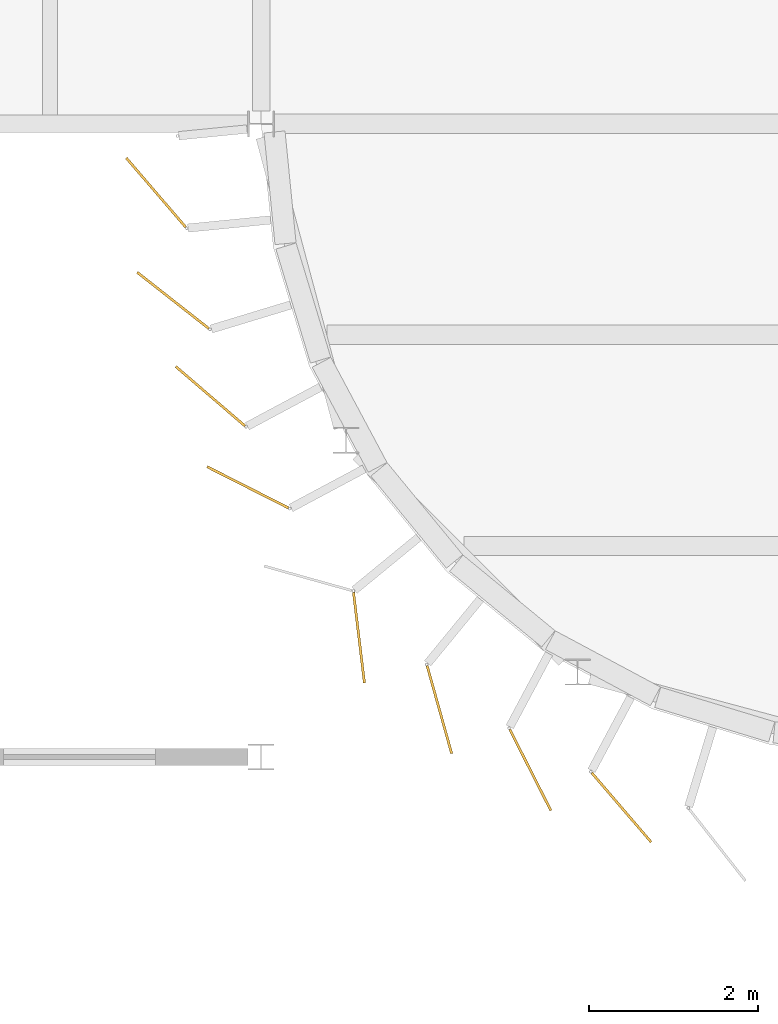
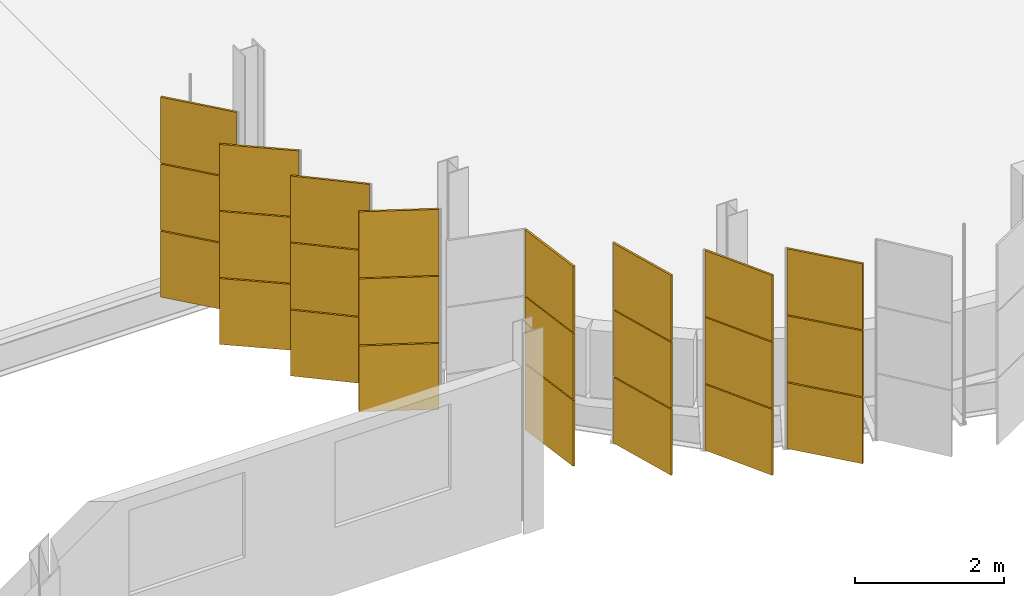
# One storey, part 186 of 199: 24 coverings.
"""IFC4 building model written with IfcOpenShell, lengths in metres."""

from ifc_helpers import new_model, si_unit, direction, frame, origin, origin_2d, place, context, subcontext, project, spatial, rectangle, extrude, material, layer, layer_set, type_object, element, save


model = new_model("IFC4")

# Units and contexts
model_context = context("Model", 3, precision=1e-05, world=origin(), true_north=direction((0.0, 1.0)))
body_context = subcontext(model_context, "Body", "Model", "MODEL_VIEW")
ifc_project = project(units=[si_unit("LENGTHUNIT", "METRE"), si_unit("AREAUNIT", "SQUARE_METRE"), si_unit("VOLUMEUNIT", "CUBIC_METRE"), si_unit("PLANEANGLEUNIT", "RADIAN"), si_unit("MASSUNIT", "GRAM", prefix="KILO")], contexts=[model_context])

# Site, building, storey
site_placement = place(None, origin())
site = spatial("IfcSite", under=ifc_project, at=site_placement, CompositionType="ELEMENT")
building_placement = place(site_placement, origin())
building = spatial("IfcBuilding", under=site, at=building_placement, Name="Parallax Yard Mobility Hub", CompositionType="ELEMENT")
storey_placement = place(building_placement, frame((0.0, 0.0, 9.89990234375)))
storey = spatial("IfcBuildingStorey", under=building, at=storey_placement, Name="L03", CompositionType="ELEMENT", Elevation=9.89990234375)

# Coverings
ifc_material_1 = material(Name="Aluminium panel, champagne finish", Category="aluminium")
ifc_layer_1 = layer(ifc_material_1, 0.030029296875)
ifc_layer_set_1 = layer_set([ifc_layer_1], Name="Skin panel 32.5 degree turn, champagne finish")
covering_type_1 = type_object("IfcCoveringType", Name="Skin panel 32.5 degree turn, champagne finish", PredefinedType="CLADDING", material=ifc_layer_set_1)
for number, where, z_axis, x_axis, name in (
    (1, (194.3994140625, 26.7724609375, 0.02001953125), (0.0, 0.0, 1.0), (-0.758987281247, 0.651105449912, 0.0), "Skin panel 32.5 bay 30.3 row 1 level L03"),
    (2, (196.1591796875, 23.913330078125, 0.02001953125), (0.0, 0.0, 1.0), (0.119703655305, -0.992809667009, 0.0), "Skin panel 32.5 bay 30.6 row 1 level L03"),
    (3, (199.2685546875, 21.901611328125, 0.02001953125), (0.0, 0.0, 1.0), (0.651105449912, -0.758987281247, 0.0), "Skin panel 32.5 bay 30.9 row 1 level L03"),
):
    element("IfcCovering", number, at=place(storey_placement, frame(where, z_axis=z_axis, x_axis=x_axis)), inside=storey, type_object=covering_type_1, Name=name, ObjectType="SCREEN", PredefinedType="CLADDING", context=body_context, shape_type="SweptSolid", body=[
        extrude(rectangle(XDim=1.080078125, YDim=0.030029296875, at=origin_2d()), origin(), (0.0, 0.0, 1.0), 1.080078125),
    ])
ifc_material_2 = material(Name="Aluminium panel, silver anodised", Category="aluminium")
ifc_layer_2 = layer(ifc_material_2, 0.030029296875)
ifc_layer_set_2 = layer_set([ifc_layer_2], Name="Skin panel 32.5 degree turn, silver anodised")
covering_type_2 = type_object("IfcCoveringType", Name="Skin panel 32.5 degree turn, silver anodised", PredefinedType="CLADDING", material=ifc_layer_set_2)
for number, where, z_axis, x_axis, name in (
    (4, (194.3994140625, 26.7724609375, 1.1201171875), (0.0, 0.0, 1.0), (-0.758987281247, 0.651105449912, 0.0), "Skin panel 32.5 bay 30.3 row 2 level L03"),
    (5, (194.3994140625, 26.7724609375, 2.219970703125), (0.0, 0.0, 1.0), (-0.758987281247, 0.651105449912, 0.0), "Skin panel 32.5 bay 30.3 row 3 level L03"),
    (6, (196.1591796875, 23.913330078125, 1.1201171875), (0.0, 0.0, 1.0), (0.119703655305, -0.992809667009, 0.0), "Skin panel 32.5 bay 30.6 row 2 level L03"),
    (7, (196.1591796875, 23.913330078125, 2.219970703125), (0.0, 0.0, 1.0), (0.119703655305, -0.992809667009, 0.0), "Skin panel 32.5 bay 30.6 row 3 level L03"),
    (8, (199.2685546875, 21.901611328125, 1.1201171875), (0.0, 0.0, 1.0), (0.651105449912, -0.758987281247, 0.0), "Skin panel 32.5 bay 30.9 row 2 level L03"),
    (9, (199.2685546875, 21.901611328125, 2.219970703125), (0.0, 0.0, 1.0), (0.651105449912, -0.758987281247, 0.0), "Skin panel 32.5 bay 30.9 row 3 level L03"),
):
    element("IfcCovering", number, at=place(storey_placement, frame(where, z_axis=z_axis, x_axis=x_axis)), inside=storey, type_object=covering_type_2, Name=name, ObjectType="SCREEN", PredefinedType="CLADDING", context=body_context, shape_type="SweptSolid", body=[
        extrude(rectangle(XDim=1.080078125, YDim=0.030029296875, at=origin_2d()), origin(), (0.0, 0.0, 1.0), 1.080078125),
    ])
ifc_layer_3 = layer(ifc_material_1, 0.030029296875)
ifc_layer_set_3 = layer_set([ifc_layer_3], Name="Skin panel 35 degree turn, champagne finish")
covering_type_3 = type_object("IfcCoveringType", Name="Skin panel 35 degree turn, champagne finish", PredefinedType="CLADDING", material=ifc_layer_set_3)
for number, where, z_axis, x_axis, name in (
    (10, (193.754638671875, 29.185791015625, 0.02001953125), (0.0, 0.0, 1.0), (-0.651105449912, 0.758987281247, 0.0), "Skin panel 35 bay 30.1 row 1 level L03"),
    (11, (193.956298828125, 27.907958984375, 0.02001953125), (0.0, 0.0, 1.0), (-0.786665714369, 0.617379181571, 0.0), "Skin panel 35 bay 30.2 row 1 level L03"),
    (12, (194.843017578125, 25.693115234375, 0.02001953125), (0.0, 0.0, 1.0), (-0.891994856589, 0.452045546177, 0.0), "Skin panel 35 bay 30.4 row 1 level L03"),
    (13, (197.112060546875, 23.059814453125, 0.02001953125), (0.0, 0.0, 1.0), (0.269340053953, -0.963045136708, 0.0), "Skin panel 35 bay 30.7 row 1 level L03"),
    (14, (198.189208984375, 22.34521484375, 0.02001953125), (0.0, 0.0, 1.0), (0.452045546177, -0.891994856589, 0.0), "Skin panel 35 bay 30.8 row 1 level L03"),
):
    element("IfcCovering", number, at=place(storey_placement, frame(where, z_axis=z_axis, x_axis=x_axis)), inside=storey, type_object=covering_type_3, Name=name, ObjectType="SCREEN", PredefinedType="CLADDING", context=body_context, shape_type="SweptSolid", body=[
        extrude(rectangle(XDim=1.080078125, YDim=0.030029296875, at=origin_2d()), origin(), (0.0, 0.0, 1.0), 1.080078125),
    ])
ifc_layer_4 = layer(ifc_material_2, 0.030029296875)
ifc_layer_set_4 = layer_set([ifc_layer_4], Name="Skin panel 35 degree turn, silver anodised")
covering_type_4 = type_object("IfcCoveringType", Name="Skin panel 35 degree turn, silver anodised", PredefinedType="CLADDING", material=ifc_layer_set_4)
for number, where, z_axis, x_axis, name in (
    (15, (193.754638671875, 29.185791015625, 1.1201171875), (0.0, 0.0, 1.0), (-0.651105449912, 0.758987281247, 0.0), "Skin panel 35 bay 30.1 row 2 level L03"),
    (16, (193.754638671875, 29.185791015625, 2.219970703125), (0.0, 0.0, 1.0), (-0.651105449912, 0.758987281247, 0.0), "Skin panel 35 bay 30.1 row 3 level L03"),
    (17, (193.956298828125, 27.907958984375, 1.1201171875), (0.0, 0.0, 1.0), (-0.786665714369, 0.617379181571, 0.0), "Skin panel 35 bay 30.2 row 2 level L03"),
    (18, (193.956298828125, 27.907958984375, 2.219970703125), (0.0, 0.0, 1.0), (-0.786665714369, 0.617379181571, 0.0), "Skin panel 35 bay 30.2 row 3 level L03"),
    (19, (194.843017578125, 25.693115234375, 1.1201171875), (0.0, 0.0, 1.0), (-0.891994856589, 0.452045546177, 0.0), "Skin panel 35 bay 30.4 row 2 level L03"),
    (20, (194.843017578125, 25.693115234375, 2.219970703125), (0.0, 0.0, 1.0), (-0.891994856589, 0.452045546177, 0.0), "Skin panel 35 bay 30.4 row 3 level L03"),
    (21, (197.112060546875, 23.059814453125, 1.1201171875), (0.0, 0.0, 1.0), (0.269340053953, -0.963045136708, 0.0), "Skin panel 35 bay 30.7 row 2 level L03"),
    (22, (197.112060546875, 23.059814453125, 2.219970703125), (0.0, 0.0, 1.0), (0.269340053953, -0.963045136708, 0.0), "Skin panel 35 bay 30.7 row 3 level L03"),
    (23, (198.189208984375, 22.34521484375, 1.1201171875), (0.0, 0.0, 1.0), (0.452045546177, -0.891994856589, 0.0), "Skin panel 35 bay 30.8 row 2 level L03"),
    (24, (198.189208984375, 22.34521484375, 2.219970703125), (0.0, 0.0, 1.0), (0.452045546177, -0.891994856589, 0.0), "Skin panel 35 bay 30.8 row 3 level L03"),
):
    element("IfcCovering", number, at=place(storey_placement, frame(where, z_axis=z_axis, x_axis=x_axis)), inside=storey, type_object=covering_type_4, Name=name, ObjectType="SCREEN", PredefinedType="CLADDING", context=body_context, shape_type="SweptSolid", body=[
        extrude(rectangle(XDim=1.080078125, YDim=0.030029296875, at=origin_2d()), origin(), (0.0, 0.0, 1.0), 1.080078125),
    ])

save(model, "model.ifc")
